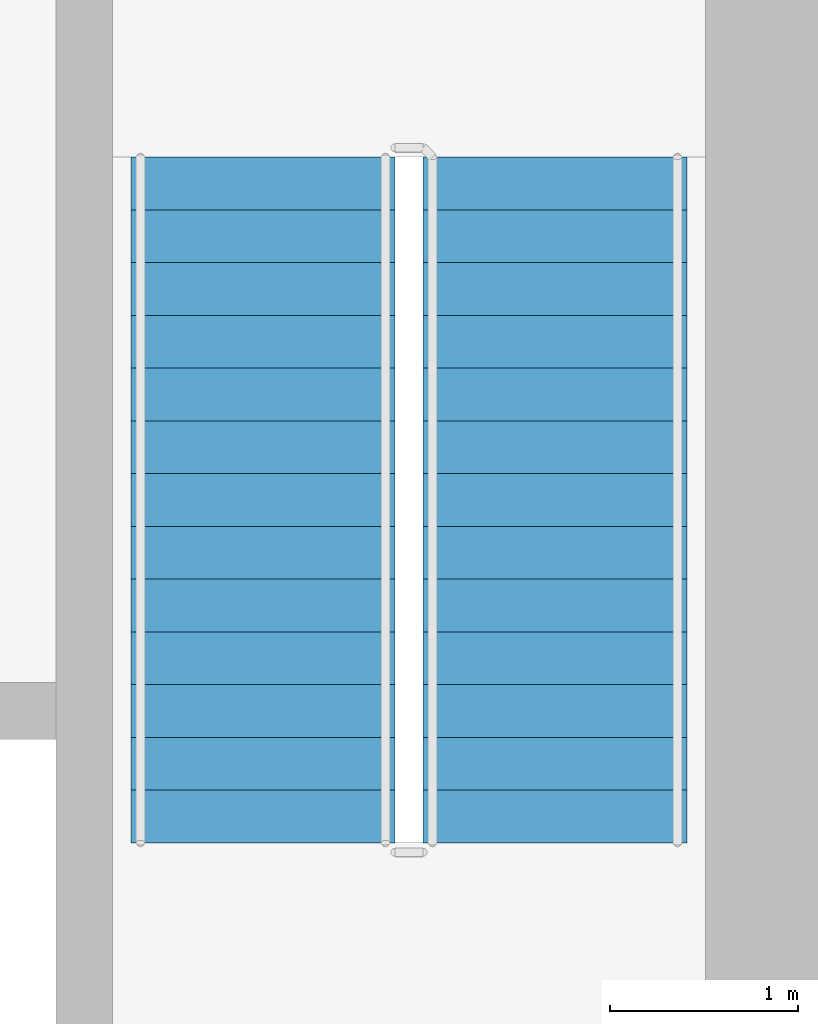
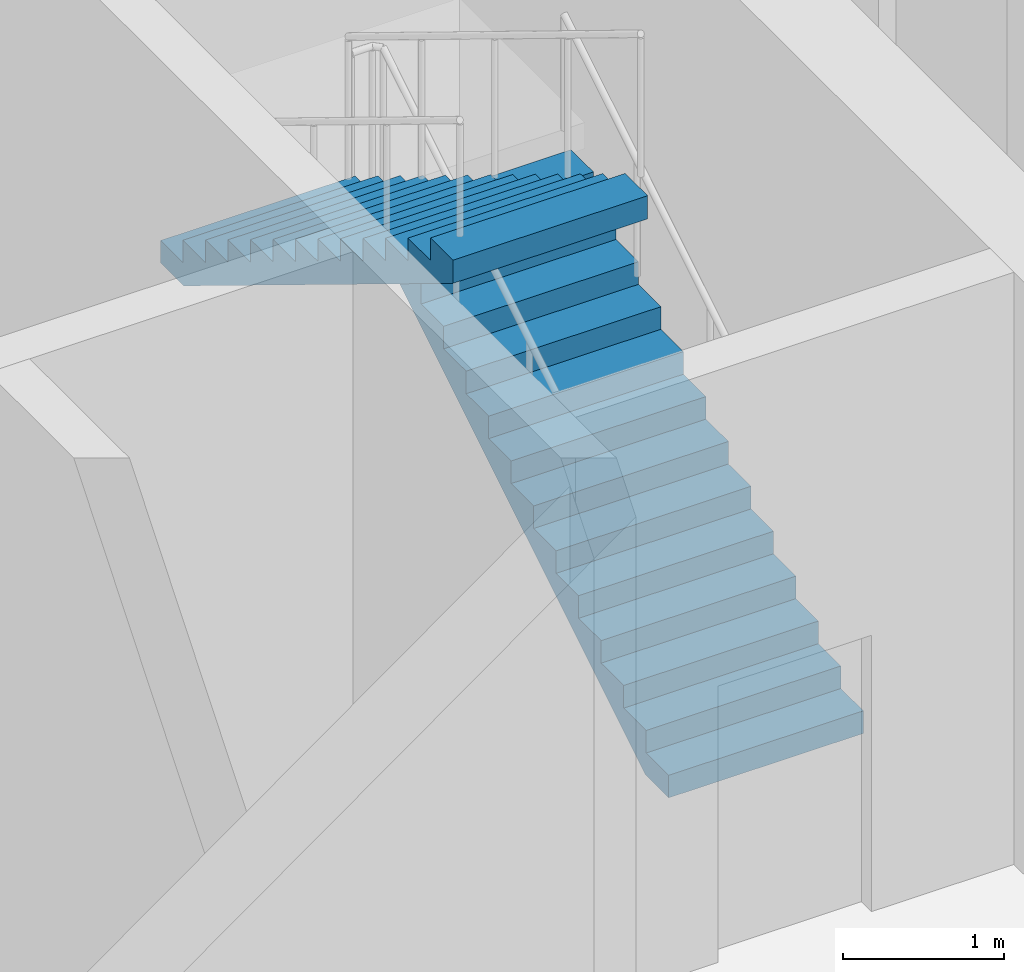
# One storey, part 11 of 17: 2 stair flights, 1 element without a shape of its own.
"""IFC4 building model written with IfcOpenShell, lengths in metres."""

from ifc_helpers import new_model, si_unit, direction, frame, origin, place, context, subcontext, project, spatial, polyline, outline, extrude, material, type_object, element, aggregate, save


model = new_model("IFC4")

# Units and contexts
model_context = context("Model", 3, precision=1e-05, world=origin(), true_north=direction((0.0, 1.0)))
body_context = subcontext(model_context, "Body", "Model", "MODEL_VIEW")
ifc_project = project(units=[si_unit("LENGTHUNIT", "METRE"), si_unit("AREAUNIT", "SQUARE_METRE"), si_unit("VOLUMEUNIT", "CUBIC_METRE"), si_unit("PLANEANGLEUNIT", "RADIAN"), si_unit("MASSUNIT", "GRAM", prefix="KILO")], contexts=[model_context])

# Site, building, storey
site_placement = place(None, origin())
site = spatial("IfcSite", under=ifc_project, at=site_placement, CompositionType="ELEMENT")
building_placement = place(site_placement, origin())
building = spatial("IfcBuilding", under=site, at=building_placement, Name="Mopane Tessera Tower", CompositionType="ELEMENT")
storey_placement = place(building_placement, frame((0.0, 0.0, 31.0)))
storey = spatial("IfcBuildingStorey", under=building, at=storey_placement, Name="L05", CompositionType="ELEMENT", Elevation=31.0)

# Stair, stair flights
ifc_material_1 = material(Name="Concrete C50/60", Category="concrete")
stair_type = type_object("IfcStairType", Name="Escape stair 1400 mm, riser 171 mm", PredefinedType="HALF_TURN_STAIR", material=ifc_material_1)
stair_placement = place(storey_placement, origin())
stair = element("IfcStair", 1, at=stair_placement, inside=storey, type_object=stair_type, Name="L05 Escape stair north-east", PredefinedType="HALF_TURN_STAIR")
ifc_material_2 = material(Name="Concrete C50/60", Category="concrete")
stair_flight_type = type_object("IfcStairFlightType", Name="Escape stair flight 1400 mm", PredefinedType="STRAIGHT", material=ifc_material_2)
stair_flight_1_placement = place(storey_placement, frame((13.0, 7.699951171875, 0.0), z_axis=(0.0, 0.0, 1.0), x_axis=(0.0, 1.0, 0.0)))
stair_flight_1 = element("IfcStairFlight", 2, at=stair_flight_1_placement, type_object=stair_flight_type, Name="ST4 flight 1", NumberOfRisers=14, NumberOfTreads=13, PredefinedType="STRAIGHT", RiserHeight=0.171428571, TreadLength=0.28, context=body_context, shape_type="SweptSolid", body=[
    extrude(outline(polyline([(0.0, 0.0), (0.0, 0.17138671875), (0.280029296875, 0.17138671875), (0.280029296875, 0.3427734375), (0.56005859375, 0.3427734375), (0.56005859375, 0.514404296875), (0.840087890625, 0.514404296875), (0.840087890625, 0.685791015625), (1.1201171875, 0.685791015625), (1.1201171875, 0.857177734375), (1.39990234375, 0.857177734375), (1.39990234375, 1.028564453125), (1.679931640625, 1.028564453125), (1.679931640625, 1.199951171875), (1.9599609375, 1.199951171875), (1.9599609375, 1.371337890625), (2.239990234375, 1.371337890625), (2.239990234375, 1.54296875), (2.52001953125, 1.54296875), (2.52001953125, 1.71435546875), (2.800048828125, 1.71435546875), (2.800048828125, 1.8857421875), (3.080078125, 1.8857421875), (3.080078125, 2.05712890625), (3.360107421875, 2.05712890625), (3.360107421875, 2.228515625), (3.639892578125, 2.228515625), (3.639892578125, 2.39990234375), (3.639892578125, 2.052734375), (0.287109375, 0.0), (0.0, 0.0)])), frame((0.0, 0.699951171875, 0.0), z_axis=(0.0, -1.0, 0.0), x_axis=(1.0, 0.0, 0.0)), (0.0, 0.0, 1.0), 1.39990234375),
])
stair_flight_2_placement = place(storey_placement, frame((11.449951171875, 11.340087890625, 2.39990234375), z_axis=(0.0, 0.0, 1.0), x_axis=(0.0, -1.0, 0.0)))
stair_flight_2 = element("IfcStairFlight", 3, at=stair_flight_2_placement, type_object=stair_flight_type, Name="ST4 flight 2", NumberOfRisers=14, NumberOfTreads=13, PredefinedType="STRAIGHT", RiserHeight=0.171428571, TreadLength=0.28, context=body_context, shape_type="SweptSolid", body=[
    extrude(outline(polyline([(0.0, 0.0), (0.0, 0.17138671875), (0.280029296875, 0.17138671875), (0.280029296875, 0.3427734375), (0.56005859375, 0.3427734375), (0.56005859375, 0.514404296875), (0.840087890625, 0.514404296875), (0.840087890625, 0.685791015625), (1.1201171875, 0.685791015625), (1.1201171875, 0.857177734375), (1.39990234375, 0.857177734375), (1.39990234375, 1.028564453125), (1.679931640625, 1.028564453125), (1.679931640625, 1.199951171875), (1.9599609375, 1.199951171875), (1.9599609375, 1.371337890625), (2.239990234375, 1.371337890625), (2.239990234375, 1.54296875), (2.52001953125, 1.54296875), (2.52001953125, 1.71435546875), (2.800048828125, 1.71435546875), (2.800048828125, 1.8857421875), (3.080078125, 1.8857421875), (3.080078125, 2.05712890625), (3.360107421875, 2.05712890625), (3.360107421875, 2.228515625), (3.639892578125, 2.228515625), (3.639892578125, 2.39990234375), (3.639892578125, 2.052734375), (0.287109375, 0.0), (0.0, 0.0)])), frame((0.0, 0.699951171875, 0.0), z_axis=(0.0, -1.0, 0.0), x_axis=(1.0, 0.0, 0.0)), (0.0, 0.0, 1.0), 1.39990234375),
])
aggregate(stair, [stair_flight_1, stair_flight_2])

save(model, "model.ifc")
